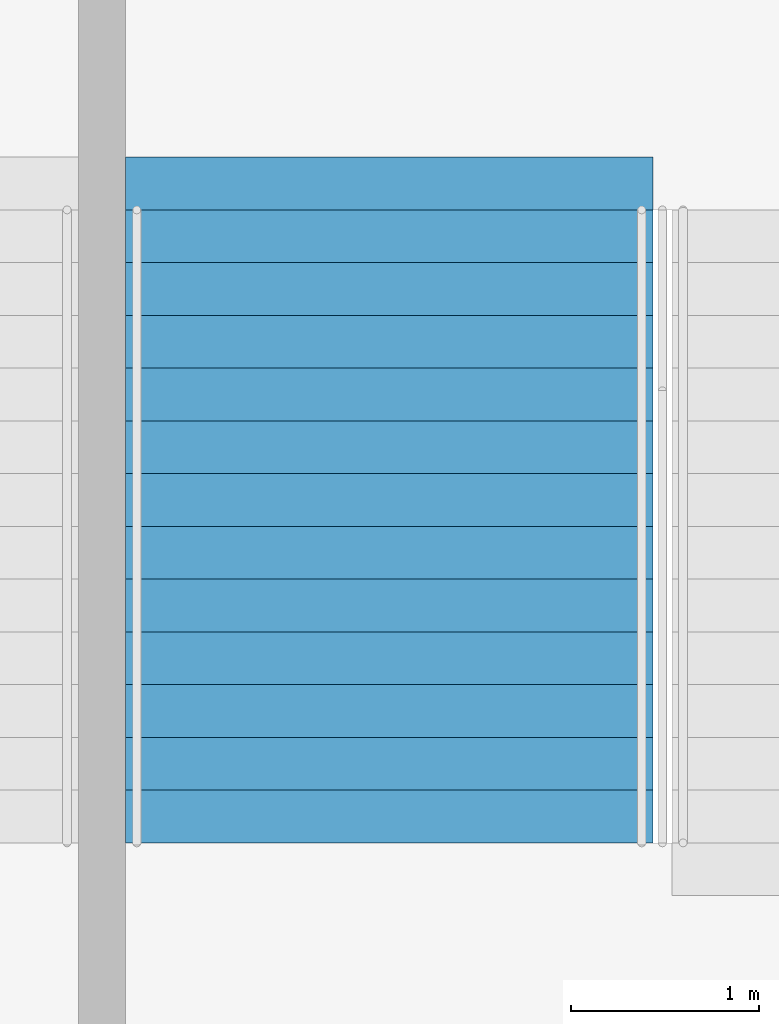
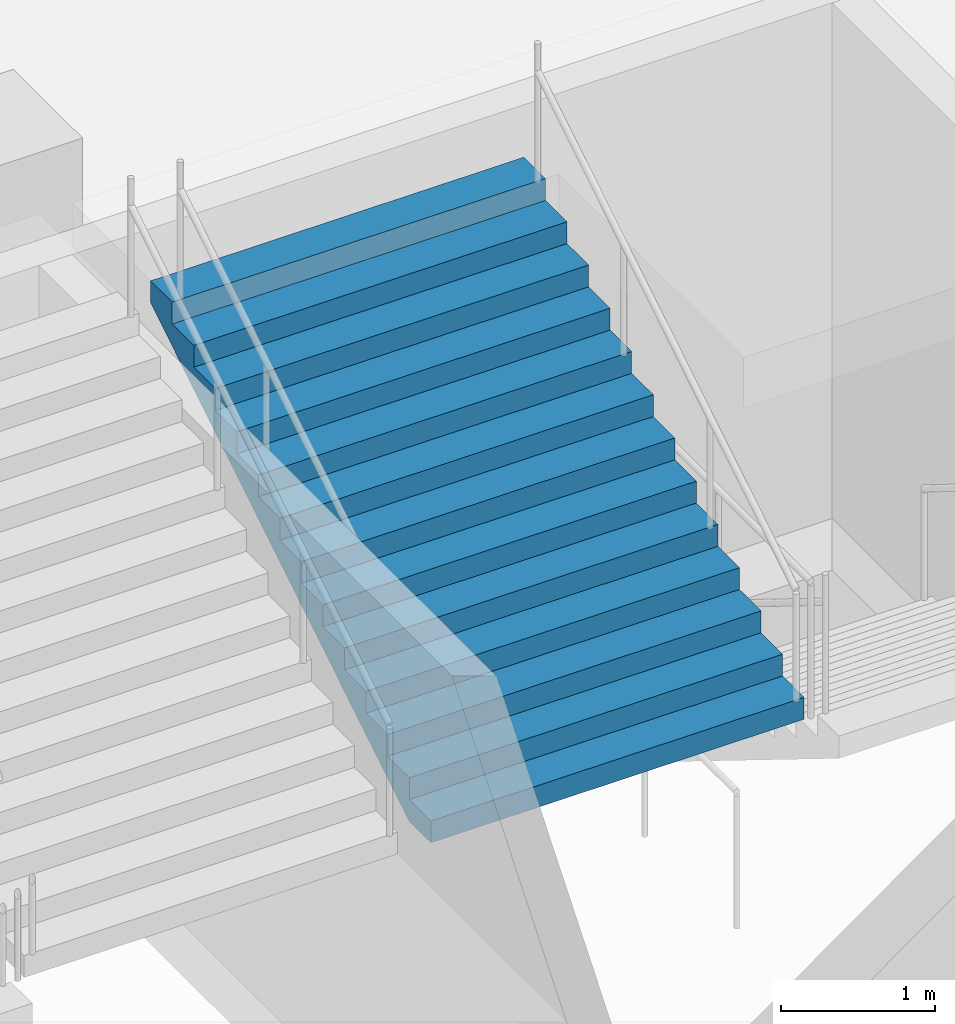
# One storey, part 122 of 199: 1 stair flight, 1 element without a shape of its own.
"""IFC4 building model written with IfcOpenShell, lengths in metres."""

from ifc_helpers import new_model, si_unit, direction, frame, origin, place, context, subcontext, project, spatial, faceted_brep, material, type_object, element, aggregate, save


model = new_model("IFC4")

# Units and contexts
model_context = context("Model", 3, precision=1e-05, world=origin(), true_north=direction((0.0, 1.0)))
body_context = subcontext(model_context, "Body", "Model", "MODEL_VIEW")
ifc_project = project(units=[si_unit("LENGTHUNIT", "METRE"), si_unit("AREAUNIT", "SQUARE_METRE"), si_unit("VOLUMEUNIT", "CUBIC_METRE"), si_unit("PLANEANGLEUNIT", "RADIAN"), si_unit("MASSUNIT", "GRAM", prefix="KILO")], contexts=[model_context])

# Site, building, storey
site_placement = place(None, origin())
site = spatial("IfcSite", under=ifc_project, at=site_placement, CompositionType="ELEMENT")
building_placement = place(site_placement, origin())
building = spatial("IfcBuilding", under=site, at=building_placement, Name="Ogive Plaza Stadium", CompositionType="ELEMENT")
storey_placement = place(building_placement, frame((0.0, 0.0, 4.5)))
storey = spatial("IfcBuildingStorey", under=building, at=storey_placement, Name="L01", CompositionType="ELEMENT", Elevation=4.5)

# Stair, stair flight
ifc_material_1 = material(Name="Concrete C40/50", Category="concrete")
stair_type = type_object("IfcStairType", Name="Exit stair", PredefinedType="STRAIGHT_RUN_STAIR", material=ifc_material_1)
stair_placement = place(storey_placement, origin())
stair = element("IfcStair", 1, at=stair_placement, inside=storey, type_object=stair_type, Name="Exit stair ST14B L01 to L02", PredefinedType="STRAIGHT_RUN_STAIR")
ifc_material_2 = material(Name="Concrete C40/50", Category="concrete")
stair_flight_type = type_object("IfcStairFlightType", Name="Exit stair flight", PredefinedType="STRAIGHT", material=ifc_material_2)
stair_flight_placement = place(storey_placement, frame((8.324951171875, -98.2099609375, 2.25), z_axis=(0.0, 0.0, 1.0), x_axis=(0.0, 1.0, 0.0)))
stair_flight = element("IfcStairFlight", 2, at=stair_flight_placement, type_object=stair_flight_type, Name="ST14B flight 2", NumberOfRisers=13, NumberOfTreads=12, PredefinedType="STRAIGHT", RiserHeight=0.173076923, TreadLength=0.28, context=body_context, shape_type="Brep", body=[
    faceted_brep([(0.28515625, -1.39990234375, 0.0), (3.639892578125, -1.39990234375, 2.07373046875), (3.639892578125, -1.39990234375, 2.25), (3.360107421875, -1.39990234375, 2.25), (3.360107421875, -1.39990234375, 2.076904296875), (3.080078125, -1.39990234375, 2.076904296875), (3.080078125, -1.39990234375, 1.90380859375), (2.800048828125, -1.39990234375, 1.90380859375), (2.800048828125, -1.39990234375, 1.730712890625), (2.52001953125, -1.39990234375, 1.730712890625), (2.52001953125, -1.39990234375, 1.5576171875), (2.239990234375, -1.39990234375, 1.5576171875), (2.239990234375, -1.39990234375, 1.384521484375), (1.9599609375, -1.39990234375, 1.384521484375), (1.9599609375, -1.39990234375, 1.21142578125), (1.679931640625, -1.39990234375, 1.21142578125), (1.679931640625, -1.39990234375, 1.03857421875), (1.39990234375, -1.39990234375, 1.03857421875), (1.39990234375, -1.39990234375, 0.865478515625), (1.1201171875, -1.39990234375, 0.865478515625), (1.1201171875, -1.39990234375, 0.6923828125), (0.840087890625, -1.39990234375, 0.6923828125), (0.840087890625, -1.39990234375, 0.519287109375), (0.56005859375, -1.39990234375, 0.519287109375), (0.56005859375, -1.39990234375, 0.34619140625), (0.280029296875, -1.39990234375, 0.34619140625), (0.280029296875, -1.39990234375, 0.173095703125), (0.0, -1.39990234375, 0.173095703125), (0.0, -1.39990234375, 0.0), (0.0, 1.39990234375, 0.0), (0.0, 1.39990234375, 0.173095703125), (0.280029296875, 1.39990234375, 0.173095703125), (0.280029296875, 1.39990234375, 0.34619140625), (0.56005859375, 1.39990234375, 0.34619140625), (0.56005859375, 1.39990234375, 0.519287109375), (0.840087890625, 1.39990234375, 0.519287109375), (0.840087890625, 1.39990234375, 0.6923828125), (1.1201171875, 1.39990234375, 0.6923828125), (1.1201171875, 1.39990234375, 0.865478515625), (1.39990234375, 1.39990234375, 0.865478515625), (1.39990234375, 1.39990234375, 1.03857421875), (1.679931640625, 1.39990234375, 1.03857421875), (1.679931640625, 1.39990234375, 1.21142578125), (1.9599609375, 1.39990234375, 1.21142578125), (1.9599609375, 1.39990234375, 1.384521484375), (2.239990234375, 1.39990234375, 1.384521484375), (2.239990234375, 1.39990234375, 1.5576171875), (2.52001953125, 1.39990234375, 1.5576171875), (2.52001953125, 1.39990234375, 1.730712890625), (2.800048828125, 1.39990234375, 1.730712890625), (2.800048828125, 1.39990234375, 1.90380859375), (3.080078125, 1.39990234375, 1.90380859375), (3.080078125, 1.39990234375, 2.076904296875), (3.360107421875, 1.39990234375, 2.076904296875), (3.360107421875, 1.39990234375, 2.25), (3.639892578125, 1.39990234375, 2.25), (3.639892578125, 1.39990234375, 2.07373046875), (0.28515625, 1.39990234375, 0.0), (0.28515625, -1.0888671875, 0.0), (3.639892578125, -1.0888671875, 2.07373046875), (0.28515625, -0.77783203125, 0.0), (3.639892578125, -0.77783203125, 2.07373046875), (0.28515625, -0.466796875, 0.0), (3.639892578125, -0.466796875, 2.07373046875), (0.28515625, -0.155517578125, 0.0), (3.639892578125, -0.155517578125, 2.07373046875), (0.28515625, 0.155517578125, 0.0), (3.639892578125, 0.155517578125, 2.07373046875), (0.28515625, 0.466796875, 0.0), (3.639892578125, 0.466796875, 2.07373046875), (0.28515625, 0.77783203125, 0.0), (3.639892578125, 0.77783203125, 2.07373046875), (0.28515625, 1.0888671875, 0.0), (3.639892578125, 1.0888671875, 2.07373046875), (3.639892578125, -1.0888671875, 2.25), (3.639892578125, -0.77783203125, 2.25), (3.639892578125, -0.466796875, 2.25), (3.639892578125, -0.155517578125, 2.25), (3.639892578125, 0.155517578125, 2.25), (3.639892578125, 0.466796875, 2.25), (3.639892578125, 0.77783203125, 2.25), (3.639892578125, 1.0888671875, 2.25), (3.360107421875, -1.0888671875, 2.25), (3.360107421875, -0.77783203125, 2.25), (3.360107421875, -0.466796875, 2.25), (3.360107421875, -0.155517578125, 2.25), (3.360107421875, 0.155517578125, 2.25), (3.360107421875, 0.466796875, 2.25), (3.360107421875, 0.77783203125, 2.25), (3.360107421875, 1.0888671875, 2.25), (3.360107421875, -1.0888671875, 2.076904296875), (3.360107421875, -0.77783203125, 2.076904296875), (3.360107421875, -0.466796875, 2.076904296875), (3.360107421875, -0.155517578125, 2.076904296875), (3.360107421875, 0.155517578125, 2.076904296875), (3.360107421875, 0.466796875, 2.076904296875), (3.360107421875, 0.77783203125, 2.076904296875), (3.360107421875, 1.0888671875, 2.076904296875), (3.080078125, -1.0888671875, 2.076904296875), (3.080078125, -0.77783203125, 2.076904296875), (3.080078125, -0.466796875, 2.076904296875), (3.080078125, -0.155517578125, 2.076904296875), (3.080078125, 0.155517578125, 2.076904296875), (3.080078125, 0.466796875, 2.076904296875), (3.080078125, 0.77783203125, 2.076904296875), (3.080078125, 1.0888671875, 2.076904296875), (3.080078125, -1.0888671875, 1.90380859375), (3.080078125, -0.77783203125, 1.90380859375), (3.080078125, -0.466796875, 1.90380859375), (3.080078125, -0.155517578125, 1.90380859375), (3.080078125, 0.155517578125, 1.90380859375), (3.080078125, 0.466796875, 1.90380859375), (3.080078125, 0.77783203125, 1.90380859375), (3.080078125, 1.0888671875, 1.90380859375), (2.800048828125, -1.0888671875, 1.90380859375), (2.800048828125, -0.77783203125, 1.90380859375), (2.800048828125, -0.466796875, 1.90380859375), (2.800048828125, -0.155517578125, 1.90380859375), (2.800048828125, 0.155517578125, 1.90380859375), (2.800048828125, 0.466796875, 1.90380859375), (2.800048828125, 0.77783203125, 1.90380859375), (2.800048828125, 1.0888671875, 1.90380859375), (2.800048828125, -1.0888671875, 1.730712890625), (2.800048828125, -0.77783203125, 1.730712890625), (2.800048828125, -0.466796875, 1.730712890625), (2.800048828125, -0.155517578125, 1.730712890625), (2.800048828125, 0.155517578125, 1.730712890625), (2.800048828125, 0.466796875, 1.730712890625), (2.800048828125, 0.77783203125, 1.730712890625), (2.800048828125, 1.0888671875, 1.730712890625), (2.52001953125, -1.0888671875, 1.730712890625), (2.52001953125, -0.77783203125, 1.730712890625), (2.52001953125, -0.466796875, 1.730712890625), (2.52001953125, -0.155517578125, 1.730712890625), (2.52001953125, 0.155517578125, 1.730712890625), (2.52001953125, 0.466796875, 1.730712890625), (2.52001953125, 0.77783203125, 1.730712890625), (2.52001953125, 1.0888671875, 1.730712890625), (2.52001953125, -1.0888671875, 1.5576171875), (2.52001953125, -0.77783203125, 1.5576171875), (2.52001953125, -0.466796875, 1.5576171875), (2.52001953125, -0.155517578125, 1.5576171875), (2.52001953125, 0.155517578125, 1.5576171875), (2.52001953125, 0.466796875, 1.5576171875), (2.52001953125, 0.77783203125, 1.5576171875), (2.52001953125, 1.0888671875, 1.5576171875), (2.239990234375, -1.0888671875, 1.5576171875), (2.239990234375, -0.77783203125, 1.5576171875), (2.239990234375, -0.466796875, 1.5576171875), (2.239990234375, -0.155517578125, 1.5576171875), (2.239990234375, 0.155517578125, 1.5576171875), (2.239990234375, 0.466796875, 1.5576171875), (2.239990234375, 0.77783203125, 1.5576171875), (2.239990234375, 1.0888671875, 1.5576171875), (2.239990234375, -1.0888671875, 1.384521484375), (2.239990234375, -0.77783203125, 1.384521484375), (2.239990234375, -0.466796875, 1.384521484375), (2.239990234375, -0.155517578125, 1.384521484375), (2.239990234375, 0.155517578125, 1.384521484375), (2.239990234375, 0.466796875, 1.384521484375), (2.239990234375, 0.77783203125, 1.384521484375), (2.239990234375, 1.0888671875, 1.384521484375), (1.9599609375, -1.0888671875, 1.384521484375), (1.9599609375, -0.77783203125, 1.384521484375), (1.9599609375, -0.466796875, 1.384521484375), (1.9599609375, -0.155517578125, 1.384521484375), (1.9599609375, 0.155517578125, 1.384521484375), (1.9599609375, 0.466796875, 1.384521484375), (1.9599609375, 0.77783203125, 1.384521484375), (1.9599609375, 1.0888671875, 1.384521484375), (1.9599609375, -1.0888671875, 1.21142578125), (1.9599609375, -0.77783203125, 1.21142578125), (1.9599609375, -0.466796875, 1.21142578125), (1.9599609375, -0.155517578125, 1.21142578125), (1.9599609375, 0.155517578125, 1.21142578125), (1.9599609375, 0.466796875, 1.21142578125), (1.9599609375, 0.77783203125, 1.21142578125), (1.9599609375, 1.0888671875, 1.21142578125), (1.679931640625, -1.0888671875, 1.21142578125), (1.679931640625, -0.77783203125, 1.21142578125), (1.679931640625, -0.466796875, 1.21142578125), (1.679931640625, -0.155517578125, 1.21142578125), (1.679931640625, 0.155517578125, 1.21142578125), (1.679931640625, 0.466796875, 1.21142578125), (1.679931640625, 0.77783203125, 1.21142578125), (1.679931640625, 1.0888671875, 1.21142578125), (1.679931640625, -1.0888671875, 1.03857421875), (1.679931640625, -0.77783203125, 1.03857421875), (1.679931640625, -0.466796875, 1.03857421875), (1.679931640625, -0.155517578125, 1.03857421875), (1.679931640625, 0.155517578125, 1.03857421875), (1.679931640625, 0.466796875, 1.03857421875), (1.679931640625, 0.77783203125, 1.03857421875), (1.679931640625, 1.0888671875, 1.03857421875), (1.39990234375, -1.0888671875, 1.03857421875), (1.39990234375, -0.77783203125, 1.03857421875), (1.39990234375, -0.466796875, 1.03857421875), (1.39990234375, -0.155517578125, 1.03857421875), (1.39990234375, 0.155517578125, 1.03857421875), (1.39990234375, 0.466796875, 1.03857421875), (1.39990234375, 0.77783203125, 1.03857421875), (1.39990234375, 1.0888671875, 1.03857421875), (1.39990234375, -1.0888671875, 0.865478515625), (1.39990234375, -0.77783203125, 0.865478515625), (1.39990234375, -0.466796875, 0.865478515625), (1.39990234375, -0.155517578125, 0.865478515625), (1.39990234375, 0.155517578125, 0.865478515625), (1.39990234375, 0.466796875, 0.865478515625), (1.39990234375, 0.77783203125, 0.865478515625), (1.39990234375, 1.0888671875, 0.865478515625), (1.1201171875, -1.0888671875, 0.865478515625), (1.1201171875, -0.77783203125, 0.865478515625), (1.1201171875, -0.466796875, 0.865478515625), (1.1201171875, -0.155517578125, 0.865478515625), (1.1201171875, 0.155517578125, 0.865478515625), (1.1201171875, 0.466796875, 0.865478515625), (1.1201171875, 0.77783203125, 0.865478515625), (1.1201171875, 1.0888671875, 0.865478515625), (1.1201171875, -1.0888671875, 0.6923828125), (1.1201171875, -0.77783203125, 0.6923828125), (1.1201171875, -0.466796875, 0.6923828125), (1.1201171875, -0.155517578125, 0.6923828125), (1.1201171875, 0.155517578125, 0.6923828125), (1.1201171875, 0.466796875, 0.6923828125), (1.1201171875, 0.77783203125, 0.6923828125), (1.1201171875, 1.0888671875, 0.6923828125), (0.840087890625, -1.0888671875, 0.6923828125), (0.840087890625, -0.77783203125, 0.6923828125), (0.840087890625, -0.466796875, 0.6923828125), (0.840087890625, -0.155517578125, 0.6923828125), (0.840087890625, 0.155517578125, 0.6923828125), (0.840087890625, 0.466796875, 0.6923828125), (0.840087890625, 0.77783203125, 0.6923828125), (0.840087890625, 1.0888671875, 0.6923828125), (0.840087890625, -1.0888671875, 0.519287109375), (0.840087890625, -0.77783203125, 0.519287109375), (0.840087890625, -0.466796875, 0.519287109375), (0.840087890625, -0.155517578125, 0.519287109375), (0.840087890625, 0.155517578125, 0.519287109375), (0.840087890625, 0.466796875, 0.519287109375), (0.840087890625, 0.77783203125, 0.519287109375), (0.840087890625, 1.0888671875, 0.519287109375), (0.56005859375, -1.0888671875, 0.519287109375), (0.56005859375, -0.77783203125, 0.519287109375), (0.56005859375, -0.466796875, 0.519287109375), (0.56005859375, -0.155517578125, 0.519287109375), (0.56005859375, 0.155517578125, 0.519287109375), (0.56005859375, 0.466796875, 0.519287109375), (0.56005859375, 0.77783203125, 0.519287109375), (0.56005859375, 1.0888671875, 0.519287109375), (0.56005859375, -1.0888671875, 0.34619140625), (0.56005859375, -0.77783203125, 0.34619140625), (0.56005859375, -0.466796875, 0.34619140625), (0.56005859375, -0.155517578125, 0.34619140625), (0.56005859375, 0.155517578125, 0.34619140625), (0.56005859375, 0.466796875, 0.34619140625), (0.56005859375, 0.77783203125, 0.34619140625), (0.56005859375, 1.0888671875, 0.34619140625), (0.280029296875, -1.0888671875, 0.34619140625), (0.280029296875, -0.77783203125, 0.34619140625), (0.280029296875, -0.466796875, 0.34619140625), (0.280029296875, -0.155517578125, 0.34619140625), (0.280029296875, 0.155517578125, 0.34619140625), (0.280029296875, 0.466796875, 0.34619140625), (0.280029296875, 0.77783203125, 0.34619140625), (0.280029296875, 1.0888671875, 0.34619140625), (0.280029296875, -1.0888671875, 0.173095703125), (0.280029296875, -0.77783203125, 0.173095703125), (0.280029296875, -0.466796875, 0.173095703125), (0.280029296875, -0.155517578125, 0.173095703125), (0.280029296875, 0.155517578125, 0.173095703125), (0.280029296875, 0.466796875, 0.173095703125), (0.280029296875, 0.77783203125, 0.173095703125), (0.280029296875, 1.0888671875, 0.173095703125), (0.0, -1.0888671875, 0.173095703125), (0.0, -0.77783203125, 0.173095703125), (0.0, -0.466796875, 0.173095703125), (0.0, -0.155517578125, 0.173095703125), (0.0, 0.155517578125, 0.173095703125), (0.0, 0.466796875, 0.173095703125), (0.0, 0.77783203125, 0.173095703125), (0.0, 1.0888671875, 0.173095703125), (0.0, -1.0888671875, 0.0), (0.0, -0.77783203125, 0.0), (0.0, -0.466796875, 0.0), (0.0, -0.155517578125, 0.0), (0.0, 0.155517578125, 0.0), (0.0, 0.466796875, 0.0), (0.0, 0.77783203125, 0.0), (0.0, 1.0888671875, 0.0)], [[[0, 1, 2, 3, 4, 5, 6, 7, 8, 9, 10, 11, 12, 13, 14, 15, 16, 17, 18, 19, 20, 21, 22, 23, 24, 25, 26, 27, 28]], [[29, 30, 31, 32, 33, 34, 35, 36, 37, 38, 39, 40, 41, 42, 43, 44, 45, 46, 47, 48, 49, 50, 51, 52, 53, 54, 55, 56, 57]], [[0, 58, 59, 1]], [[58, 60, 61, 59]], [[60, 62, 63, 61]], [[62, 64, 65, 63]], [[64, 66, 67, 65]], [[66, 68, 69, 67]], [[68, 70, 71, 69]], [[70, 72, 73, 71]], [[72, 57, 56, 73]], [[1, 59, 74, 2]], [[59, 61, 75, 74]], [[61, 63, 76, 75]], [[63, 65, 77, 76]], [[65, 67, 78, 77]], [[67, 69, 79, 78]], [[69, 71, 80, 79]], [[71, 73, 81, 80]], [[73, 56, 55, 81]], [[2, 74, 82, 3]], [[74, 75, 83, 82]], [[75, 76, 84, 83]], [[76, 77, 85, 84]], [[77, 78, 86, 85]], [[78, 79, 87, 86]], [[79, 80, 88, 87]], [[80, 81, 89, 88]], [[81, 55, 54, 89]], [[3, 82, 90, 4]], [[82, 83, 91, 90]], [[83, 84, 92, 91]], [[84, 85, 93, 92]], [[85, 86, 94, 93]], [[86, 87, 95, 94]], [[87, 88, 96, 95]], [[88, 89, 97, 96]], [[89, 54, 53, 97]], [[4, 90, 98, 5]], [[90, 91, 99, 98]], [[91, 92, 100, 99]], [[92, 93, 101, 100]], [[93, 94, 102, 101]], [[94, 95, 103, 102]], [[95, 96, 104, 103]], [[96, 97, 105, 104]], [[97, 53, 52, 105]], [[5, 98, 106, 6]], [[98, 99, 107, 106]], [[99, 100, 108, 107]], [[100, 101, 109, 108]], [[101, 102, 110, 109]], [[102, 103, 111, 110]], [[103, 104, 112, 111]], [[104, 105, 113, 112]], [[105, 52, 51, 113]], [[6, 106, 114, 7]], [[106, 107, 115, 114]], [[107, 108, 116, 115]], [[108, 109, 117, 116]], [[109, 110, 118, 117]], [[110, 111, 119, 118]], [[111, 112, 120, 119]], [[112, 113, 121, 120]], [[113, 51, 50, 121]], [[7, 114, 122, 8]], [[114, 115, 123, 122]], [[115, 116, 124, 123]], [[116, 117, 125, 124]], [[117, 118, 126, 125]], [[118, 119, 127, 126]], [[119, 120, 128, 127]], [[120, 121, 129, 128]], [[121, 50, 49, 129]], [[8, 122, 130, 9]], [[122, 123, 131, 130]], [[123, 124, 132, 131]], [[124, 125, 133, 132]], [[125, 126, 134, 133]], [[126, 127, 135, 134]], [[127, 128, 136, 135]], [[128, 129, 137, 136]], [[129, 49, 48, 137]], [[9, 130, 138, 10]], [[130, 131, 139, 138]], [[131, 132, 140, 139]], [[132, 133, 141, 140]], [[133, 134, 142, 141]], [[134, 135, 143, 142]], [[135, 136, 144, 143]], [[136, 137, 145, 144]], [[137, 48, 47, 145]], [[10, 138, 146, 11]], [[138, 139, 147, 146]], [[139, 140, 148, 147]], [[140, 141, 149, 148]], [[141, 142, 150, 149]], [[142, 143, 151, 150]], [[143, 144, 152, 151]], [[144, 145, 153, 152]], [[145, 47, 46, 153]], [[11, 146, 154, 12]], [[146, 147, 155, 154]], [[147, 148, 156, 155]], [[148, 149, 157, 156]], [[149, 150, 158, 157]], [[150, 151, 159, 158]], [[151, 152, 160, 159]], [[152, 153, 161, 160]], [[153, 46, 45, 161]], [[12, 154, 162, 13]], [[154, 155, 163, 162]], [[155, 156, 164, 163]], [[156, 157, 165, 164]], [[157, 158, 166, 165]], [[158, 159, 167, 166]], [[159, 160, 168, 167]], [[160, 161, 169, 168]], [[161, 45, 44, 169]], [[13, 162, 170, 14]], [[162, 163, 171, 170]], [[163, 164, 172, 171]], [[164, 165, 173, 172]], [[165, 166, 174, 173]], [[166, 167, 175, 174]], [[167, 168, 176, 175]], [[168, 169, 177, 176]], [[169, 44, 43, 177]], [[14, 170, 178, 15]], [[170, 171, 179, 178]], [[171, 172, 180, 179]], [[172, 173, 181, 180]], [[173, 174, 182, 181]], [[174, 175, 183, 182]], [[175, 176, 184, 183]], [[176, 177, 185, 184]], [[177, 43, 42, 185]], [[15, 178, 186, 16]], [[178, 179, 187, 186]], [[179, 180, 188, 187]], [[180, 181, 189, 188]], [[181, 182, 190, 189]], [[182, 183, 191, 190]], [[183, 184, 192, 191]], [[184, 185, 193, 192]], [[185, 42, 41, 193]], [[16, 186, 194, 17]], [[186, 187, 195, 194]], [[187, 188, 196, 195]], [[188, 189, 197, 196]], [[189, 190, 198, 197]], [[190, 191, 199, 198]], [[191, 192, 200, 199]], [[192, 193, 201, 200]], [[193, 41, 40, 201]], [[17, 194, 202, 18]], [[194, 195, 203, 202]], [[195, 196, 204, 203]], [[196, 197, 205, 204]], [[197, 198, 206, 205]], [[198, 199, 207, 206]], [[199, 200, 208, 207]], [[200, 201, 209, 208]], [[201, 40, 39, 209]], [[18, 202, 210, 19]], [[202, 203, 211, 210]], [[203, 204, 212, 211]], [[204, 205, 213, 212]], [[205, 206, 214, 213]], [[206, 207, 215, 214]], [[207, 208, 216, 215]], [[208, 209, 217, 216]], [[209, 39, 38, 217]], [[19, 210, 218, 20]], [[210, 211, 219, 218]], [[211, 212, 220, 219]], [[212, 213, 221, 220]], [[213, 214, 222, 221]], [[214, 215, 223, 222]], [[215, 216, 224, 223]], [[216, 217, 225, 224]], [[217, 38, 37, 225]], [[20, 218, 226, 21]], [[218, 219, 227, 226]], [[219, 220, 228, 227]], [[220, 221, 229, 228]], [[221, 222, 230, 229]], [[222, 223, 231, 230]], [[223, 224, 232, 231]], [[224, 225, 233, 232]], [[225, 37, 36, 233]], [[21, 226, 234, 22]], [[226, 227, 235, 234]], [[227, 228, 236, 235]], [[228, 229, 237, 236]], [[229, 230, 238, 237]], [[230, 231, 239, 238]], [[231, 232, 240, 239]], [[232, 233, 241, 240]], [[233, 36, 35, 241]], [[22, 234, 242, 23]], [[234, 235, 243, 242]], [[235, 236, 244, 243]], [[236, 237, 245, 244]], [[237, 238, 246, 245]], [[238, 239, 247, 246]], [[239, 240, 248, 247]], [[240, 241, 249, 248]], [[241, 35, 34, 249]], [[23, 242, 250, 24]], [[242, 243, 251, 250]], [[243, 244, 252, 251]], [[244, 245, 253, 252]], [[245, 246, 254, 253]], [[246, 247, 255, 254]], [[247, 248, 256, 255]], [[248, 249, 257, 256]], [[249, 34, 33, 257]], [[24, 250, 258, 25]], [[250, 251, 259, 258]], [[251, 252, 260, 259]], [[252, 253, 261, 260]], [[253, 254, 262, 261]], [[254, 255, 263, 262]], [[255, 256, 264, 263]], [[256, 257, 265, 264]], [[257, 33, 32, 265]], [[25, 258, 266, 26]], [[258, 259, 267, 266]], [[259, 260, 268, 267]], [[260, 261, 269, 268]], [[261, 262, 270, 269]], [[262, 263, 271, 270]], [[263, 264, 272, 271]], [[264, 265, 273, 272]], [[265, 32, 31, 273]], [[26, 266, 274, 27]], [[266, 267, 275, 274]], [[267, 268, 276, 275]], [[268, 269, 277, 276]], [[269, 270, 278, 277]], [[270, 271, 279, 278]], [[271, 272, 280, 279]], [[272, 273, 281, 280]], [[273, 31, 30, 281]], [[27, 274, 282, 28]], [[274, 275, 283, 282]], [[275, 276, 284, 283]], [[276, 277, 285, 284]], [[277, 278, 286, 285]], [[278, 279, 287, 286]], [[279, 280, 288, 287]], [[280, 281, 289, 288]], [[281, 30, 29, 289]], [[28, 282, 58, 0]], [[282, 283, 60, 58]], [[283, 284, 62, 60]], [[284, 285, 64, 62]], [[285, 286, 66, 64]], [[286, 287, 68, 66]], [[287, 288, 70, 68]], [[288, 289, 72, 70]], [[289, 29, 57, 72]]]),
])
aggregate(stair, [stair_flight])

save(model, "model.ifc")
